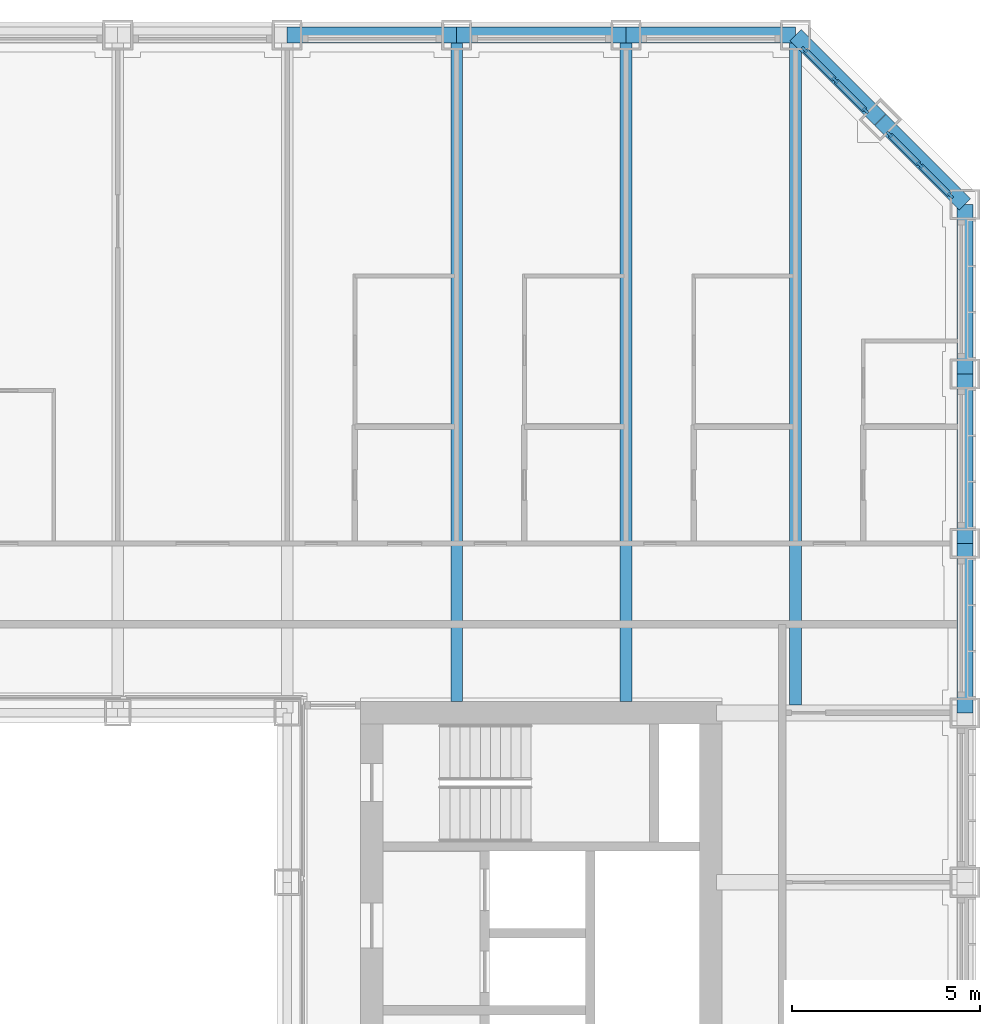
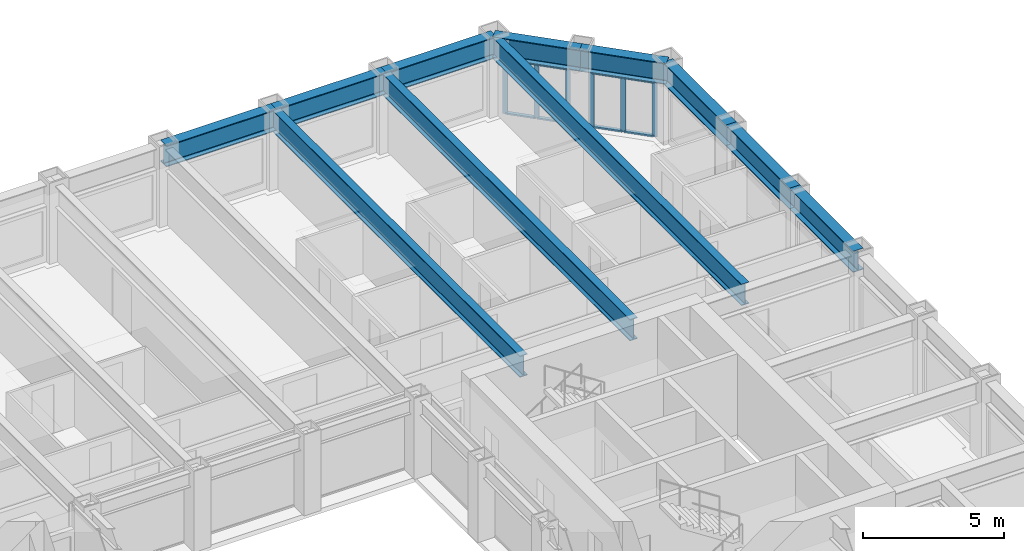
# One storey, part 7 of 21: 14 members, 11 beams, 2 elements without a shape of their own.
"""IFC4 building model written with IfcOpenShell, lengths in metres."""

from ifc_helpers import new_model, si_unit, direction, frame, origin, origin_2d, place, context, subcontext, project, spatial, rectangle, i_section, extrude, material, material_profile, profile_set, type_object, element, aggregate, save


model = new_model("IFC4")

# Units and contexts
model_context = context("Model", 3, precision=1e-05, world=origin(), true_north=direction((0.0, 1.0)))
body_context = subcontext(model_context, "Body", "Model", "MODEL_VIEW")
ifc_project = project(units=[si_unit("LENGTHUNIT", "METRE"), si_unit("AREAUNIT", "SQUARE_METRE"), si_unit("VOLUMEUNIT", "CUBIC_METRE"), si_unit("PLANEANGLEUNIT", "RADIAN"), si_unit("MASSUNIT", "GRAM", prefix="KILO")], contexts=[model_context])

# Site, building, storey
site_placement = place(None, origin())
site = spatial("IfcSite", under=ifc_project, at=site_placement, CompositionType="ELEMENT")
building_placement = place(site_placement, origin())
building = spatial("IfcBuilding", under=site, at=building_placement, Name="Msasa Ring Tower", CompositionType="ELEMENT")
storey_placement = place(building_placement, frame((0.0, 0.0, 86.0)))
storey = spatial("IfcBuildingStorey", under=building, at=storey_placement, Name="L22", CompositionType="ELEMENT", Elevation=86.0)

# Curtain wall, members
ifc_material_1 = material(Name="Aluminium curtain wall with clear glass", Category="aluminium")
curtain_wall_type = type_object("IfcCurtainWallType", Name="CW-C CHAMFER CORNER CURTAIN WALL", PredefinedType="NOTDEFINED", material=ifc_material_1)
curtain_wall_1_placement = place(storey_placement, origin())
curtain_wall_1 = element("IfcCurtainWall", 1, at=curtain_wall_1_placement, inside=storey, type_object=curtain_wall_type, Name="Chamfer corner curtain wall NE L22", PredefinedType="NOTDEFINED")
ifc_material_2 = material(Name="Aluminium mullion", Category="aluminium")
ifc_material_profile_1 = material_profile(ifc_material_2, rectangle(XDim=0.06494140625, YDim=0.179931640625, at=origin_2d()), Name="AL 65x180")
ifc_profile_set_1 = profile_set([ifc_material_profile_1], Name="Aluminium mullion")
member_type_1 = type_object("IfcMemberType", Name="CW-C MULLION 65x180", PredefinedType="MULLION", material=ifc_profile_set_1)
member_1_placement = place(storey_placement, frame((22.119873046875, 22.73876953125, 0.0), z_axis=(0.0, 0.0, 1.0), x_axis=(-0.707106781187, -0.707106781187, 0.0)))
member_1 = element("IfcMember", 2, at=member_1_placement, type_object=member_type_1, Name="CW-C mullion 1", PredefinedType="MULLION", context=body_context, shape_type="SweptSolid", body=[
    extrude(rectangle(XDim=0.06494140625, YDim=0.179931640625, at=origin_2d()), origin(), (0.0, 0.0, 1.0), 2.37890625),
])
member_2_placement = place(storey_placement, frame((21.30419921875, 23.55419921875, 0.0), z_axis=(0.0, 0.0, 1.0), x_axis=(-0.707106781187, -0.707106781187, 0.0)))
member_2 = element("IfcMember", 3, at=member_2_placement, type_object=member_type_1, Name="CW-C mullion 2", PredefinedType="MULLION", context=body_context, shape_type="SweptSolid", body=[
    extrude(rectangle(XDim=0.06494140625, YDim=0.179931640625, at=origin_2d()), origin(), (0.0, 0.0, 1.0), 2.37890625),
])
member_3_placement = place(storey_placement, frame((20.48876953125, 24.369873046875, 0.0), z_axis=(0.0, 0.0, 1.0), x_axis=(-0.707106781187, -0.707106781187, 0.0)))
member_3 = element("IfcMember", 4, at=member_3_placement, type_object=member_type_1, Name="CW-C mullion 3", PredefinedType="MULLION", context=body_context, shape_type="SweptSolid", body=[
    extrude(rectangle(XDim=0.06494140625, YDim=0.179931640625, at=origin_2d()), origin(), (0.0, 0.0, 1.0), 2.37890625),
])

curtain_wall_2_placement = place(storey_placement, origin())
curtain_wall_2 = element("IfcCurtainWall", 5, at=curtain_wall_2_placement, inside=storey, type_object=curtain_wall_type, Name="Chamfer corner curtain wall NE L22", PredefinedType="NOTDEFINED")
member_4_placement = place(storey_placement, frame((24.369873046875, 20.48876953125, 0.0), z_axis=(0.0, 0.0, 1.0), x_axis=(-0.707106781187, -0.707106781187, 0.0)))
member_4 = element("IfcMember", 6, at=member_4_placement, type_object=member_type_1, Name="CW-C mullion 1", PredefinedType="MULLION", context=body_context, shape_type="SweptSolid", body=[
    extrude(rectangle(XDim=0.06494140625, YDim=0.179931640625, at=origin_2d()), origin(), (0.0, 0.0, 1.0), 2.37890625),
])
member_5_placement = place(storey_placement, frame((23.55419921875, 21.30419921875, 0.0), z_axis=(0.0, 0.0, 1.0), x_axis=(-0.707106781187, -0.707106781187, 0.0)))
member_5 = element("IfcMember", 7, at=member_5_placement, type_object=member_type_1, Name="CW-C mullion 2", PredefinedType="MULLION", context=body_context, shape_type="SweptSolid", body=[
    extrude(rectangle(XDim=0.06494140625, YDim=0.179931640625, at=origin_2d()), origin(), (0.0, 0.0, 1.0), 2.37890625),
])
member_6_placement = place(storey_placement, frame((22.73876953125, 22.119873046875, 0.0), z_axis=(0.0, 0.0, 1.0), x_axis=(-0.707106781187, -0.707106781187, 0.0)))
member_6 = element("IfcMember", 8, at=member_6_placement, type_object=member_type_1, Name="CW-C mullion 3", PredefinedType="MULLION", context=body_context, shape_type="SweptSolid", body=[
    extrude(rectangle(XDim=0.06494140625, YDim=0.179931640625, at=origin_2d()), origin(), (0.0, 0.0, 1.0), 2.37890625),
])

# Member
ifc_material_3 = material(Name="Aluminium transom", Category="aluminium")
ifc_material_profile_2 = material_profile(ifc_material_3, rectangle(XDim=0.139892578125, YDim=0.06494140625, at=origin_2d()), Name="AL 65x140")
ifc_profile_set_2 = profile_set([ifc_material_profile_2], Name="Aluminium transom")
member_type_2 = type_object("IfcMemberType", Name="CW-C TRANSOM 65x140", PredefinedType="USERDEFINED", material=ifc_profile_set_2)
member_7_placement = place(storey_placement, frame((22.096923828125, 22.76171875, 0.032470703125), z_axis=(-0.707106781187, 0.707106781187, 0.0), x_axis=(-0.707106781187, -0.707106781187, 0.0)))
member_7 = element("IfcMember", 9, at=member_7_placement, type_object=member_type_2, Name="CW-C transom 1.1", ObjectType="TRANSOM", PredefinedType="USERDEFINED", context=body_context, shape_type="SweptSolid", body=[
    extrude(rectangle(XDim=0.139892578125, YDim=0.06494140625, at=origin_2d()), origin(), (0.0, 0.0, 1.0), 1.08837890625),
])

member_8_placement = place(storey_placement, frame((22.096923828125, 22.76171875, 2.346435546875), z_axis=(-0.707106781187, 0.707106781187, 0.0), x_axis=(-0.707106781187, -0.707106781187, 0.0)))
member_8 = element("IfcMember", 10, at=member_8_placement, type_object=member_type_2, Name="CW-C transom 1.2", ObjectType="TRANSOM", PredefinedType="USERDEFINED", context=body_context, shape_type="SweptSolid", body=[
    extrude(rectangle(XDim=0.139892578125, YDim=0.06494140625, at=origin_2d()), origin(), (0.0, 0.0, 1.0), 1.08837890625),
])

member_9_placement = place(storey_placement, frame((21.28125, 23.577392578125, 0.032470703125), z_axis=(-0.707106781187, 0.707106781187, 0.0), x_axis=(-0.707106781187, -0.707106781187, 0.0)))
member_9 = element("IfcMember", 11, at=member_9_placement, type_object=member_type_2, Name="CW-C transom 2.1", ObjectType="TRANSOM", PredefinedType="USERDEFINED", context=body_context, shape_type="SweptSolid", body=[
    extrude(rectangle(XDim=0.139892578125, YDim=0.06494140625, at=origin_2d()), origin(), (0.0, 0.0, 1.0), 1.08837890625),
])

member_10_placement = place(storey_placement, frame((21.28125, 23.577392578125, 2.346435546875), z_axis=(-0.707106781187, 0.707106781187, 0.0), x_axis=(-0.707106781187, -0.707106781187, 0.0)))
member_10 = element("IfcMember", 12, at=member_10_placement, type_object=member_type_2, Name="CW-C transom 2.2", ObjectType="TRANSOM", PredefinedType="USERDEFINED", context=body_context, shape_type="SweptSolid", body=[
    extrude(rectangle(XDim=0.139892578125, YDim=0.06494140625, at=origin_2d()), origin(), (0.0, 0.0, 1.0), 1.08837890625),
])

aggregate(curtain_wall_1, [member_1, member_2, member_3, member_7, member_8, member_9, member_10])

member_11_placement = place(storey_placement, frame((24.346923828125, 20.51171875, 0.032470703125), z_axis=(-0.707106781187, 0.707106781187, 0.0), x_axis=(-0.707106781187, -0.707106781187, 0.0)))
member_11 = element("IfcMember", 13, at=member_11_placement, type_object=member_type_2, Name="CW-C transom 1.1", ObjectType="TRANSOM", PredefinedType="USERDEFINED", context=body_context, shape_type="SweptSolid", body=[
    extrude(rectangle(XDim=0.139892578125, YDim=0.06494140625, at=origin_2d()), origin(), (0.0, 0.0, 1.0), 1.08837890625),
])

member_12_placement = place(storey_placement, frame((24.346923828125, 20.51171875, 2.346435546875), z_axis=(-0.707106781187, 0.707106781187, 0.0), x_axis=(-0.707106781187, -0.707106781187, 0.0)))
member_12 = element("IfcMember", 14, at=member_12_placement, type_object=member_type_2, Name="CW-C transom 1.2", ObjectType="TRANSOM", PredefinedType="USERDEFINED", context=body_context, shape_type="SweptSolid", body=[
    extrude(rectangle(XDim=0.139892578125, YDim=0.06494140625, at=origin_2d()), origin(), (0.0, 0.0, 1.0), 1.08837890625),
])

member_13_placement = place(storey_placement, frame((23.53125, 21.327392578125, 0.032470703125), z_axis=(-0.707106781187, 0.707106781187, 0.0), x_axis=(-0.707106781187, -0.707106781187, 0.0)))
member_13 = element("IfcMember", 15, at=member_13_placement, type_object=member_type_2, Name="CW-C transom 2.1", ObjectType="TRANSOM", PredefinedType="USERDEFINED", context=body_context, shape_type="SweptSolid", body=[
    extrude(rectangle(XDim=0.139892578125, YDim=0.06494140625, at=origin_2d()), origin(), (0.0, 0.0, 1.0), 1.08837890625),
])

member_14_placement = place(storey_placement, frame((23.53125, 21.327392578125, 2.346435546875), z_axis=(-0.707106781187, 0.707106781187, 0.0), x_axis=(-0.707106781187, -0.707106781187, 0.0)))
member_14 = element("IfcMember", 16, at=member_14_placement, type_object=member_type_2, Name="CW-C transom 2.2", ObjectType="TRANSOM", PredefinedType="USERDEFINED", context=body_context, shape_type="SweptSolid", body=[
    extrude(rectangle(XDim=0.139892578125, YDim=0.06494140625, at=origin_2d()), origin(), (0.0, 0.0, 1.0), 1.08837890625),
])

aggregate(curtain_wall_2, [member_4, member_5, member_6, member_11, member_12, member_13, member_14])

# Beams
ifc_material_4 = material(Name="Steel S355", Category="steel")
ifc_material_profile_3 = material_profile(ifc_material_4, i_section(OverallWidth=0.3076171875, OverallDepth=0.926513671875, WebThickness=0.01953125, FlangeThickness=0.031982421875, FilletRadius=0.01904296875, at=origin_2d()), Name="UB 914x305x289")
ifc_profile_set_3 = profile_set([ifc_material_profile_3], Name="Steel S355")
beam_type_1 = type_object("IfcBeamType", Name="FB3 UB 914x305x289", PredefinedType="BEAM", material=ifc_profile_set_3)
for number, where, z_axis, x_axis, name in (
    (17, (11.25, 24.75, 2.836669921875), (0.0, -1.0, 0.0), (1.0, 0.0, 0.0), "Floor beam N+11.25 under L23"),
    (18, (15.75, 24.75, 2.836669921875), (0.0, -1.0, 0.0), (1.0, 0.0, 0.0), "Floor beam N+15.75 under L23"),
):
    element("IfcBeam", number, at=place(storey_placement, frame(where, z_axis=z_axis, x_axis=x_axis)), inside=storey, type_object=beam_type_1, Name=name, PredefinedType="BEAM", context=body_context, shape_type="SweptSolid", body=[
        extrude(i_section(OverallWidth=0.3076171875, OverallDepth=0.926513671875, WebThickness=0.01953125, FlangeThickness=0.031982421875, FilletRadius=0.01904296875, at=origin_2d()), origin(), (0.0, 0.0, 1.0), 17.699951171875),
    ])
beam_placement = place(storey_placement, frame((20.25, 24.75, 2.836669921875), z_axis=(0.0, -1.0, 0.0), x_axis=(1.0, 0.0, 0.0)))
element("IfcBeam", 19, at=beam_placement, inside=storey, type_object=beam_type_1, Name="Floor beam N+20.25 under L23", PredefinedType="BEAM", context=body_context, shape_type="SweptSolid", body=[
    extrude(i_section(OverallWidth=0.3076171875, OverallDepth=0.926513671875, WebThickness=0.01953125, FlangeThickness=0.031982421875, FilletRadius=0.01904296875, at=origin_2d()), origin(), (0.0, 0.0, 1.0), 17.789794921875),
])
ifc_material_5 = material(Name="Steel S355", Category="steel")
ifc_material_profile_4 = material_profile(ifc_material_5, i_section(OverallWidth=0.42041015625, OverallDepth=0.9208984375, WebThickness=0.021484375, FlangeThickness=0.03662109375, FilletRadius=0.024169921875, at=origin_2d()), Name="UB 914x419x388")
ifc_profile_set_4 = profile_set([ifc_material_profile_4], Name="Steel S355")
beam_type_2 = type_object("IfcBeamType", Name="SB1 UB 914x419x388", PredefinedType="SPANDREL", material=ifc_profile_set_4)
for number, where, z_axis, x_axis, name in (
    (20, (24.75, 6.75, 2.839599609375), (0.0, 1.0, 0.0), (-1.0, 0.0, 0.0), "Spandrel E+6.75 to E+11.25 under L23"),
    (21, (24.75, 11.25, 2.839599609375), (0.0, 1.0, 0.0), (-1.0, 0.0, 0.0), "Spandrel E+11.25 to E+15.75 under L23"),
    (22, (24.75, 15.75, 2.839599609375), (0.0, 1.0, 0.0), (-1.0, 0.0, 0.0), "Spandrel E+15.75 to E+20.25 under L23"),
):
    element("IfcBeam", number, at=place(storey_placement, frame(where, z_axis=z_axis, x_axis=x_axis)), inside=storey, type_object=beam_type_2, Name=name, PredefinedType="SPANDREL", context=body_context, shape_type="SweptSolid", body=[
        extrude(i_section(OverallWidth=0.42041015625, OverallDepth=0.9208984375, WebThickness=0.021484375, FlangeThickness=0.03662109375, FilletRadius=0.024169921875, at=origin_2d()), origin(), (0.0, 0.0, 1.0), 4.5),
    ])
for number, where, z_axis, x_axis, name in (
    (23, (24.75, 20.25, 2.839599609375), (-0.707106781187, 0.707106781187, 0.0), (-0.707106781187, -0.707106781187, 0.0), "Spandrel E+20.25 to NE under L23"),
    (24, (22.5, 22.5, 2.839599609375), (-0.707106781187, 0.707106781187, 0.0), (-0.707106781187, -0.707106781187, 0.0), "Spandrel NE to N+20.25 under L23"),
):
    element("IfcBeam", number, at=place(storey_placement, frame(where, z_axis=z_axis, x_axis=x_axis)), inside=storey, type_object=beam_type_2, Name=name, PredefinedType="SPANDREL", context=body_context, shape_type="SweptSolid", body=[
        extrude(i_section(OverallWidth=0.42041015625, OverallDepth=0.9208984375, WebThickness=0.021484375, FlangeThickness=0.03662109375, FilletRadius=0.024169921875, at=origin_2d()), origin(), (0.0, 0.0, 1.0), 3.181884765625),
    ])
for number, where, z_axis, x_axis, name in (
    (25, (20.25, 24.75, 2.839599609375), (-1.0, 0.0, 0.0), (0.0, -1.0, 0.0), "Spandrel N+20.25 to N+15.75 under L23"),
    (26, (15.75, 24.75, 2.839599609375), (-1.0, 0.0, 0.0), (0.0, -1.0, 0.0), "Spandrel N+15.75 to N+11.25 under L23"),
    (27, (11.25, 24.75, 2.839599609375), (-1.0, 0.0, 0.0), (0.0, -1.0, 0.0), "Spandrel N+11.25 to N+6.75 under L23"),
):
    element("IfcBeam", number, at=place(storey_placement, frame(where, z_axis=z_axis, x_axis=x_axis)), inside=storey, type_object=beam_type_2, Name=name, PredefinedType="SPANDREL", context=body_context, shape_type="SweptSolid", body=[
        extrude(i_section(OverallWidth=0.42041015625, OverallDepth=0.9208984375, WebThickness=0.021484375, FlangeThickness=0.03662109375, FilletRadius=0.024169921875, at=origin_2d()), origin(), (0.0, 0.0, 1.0), 4.5),
    ])

save(model, "model.ifc")
